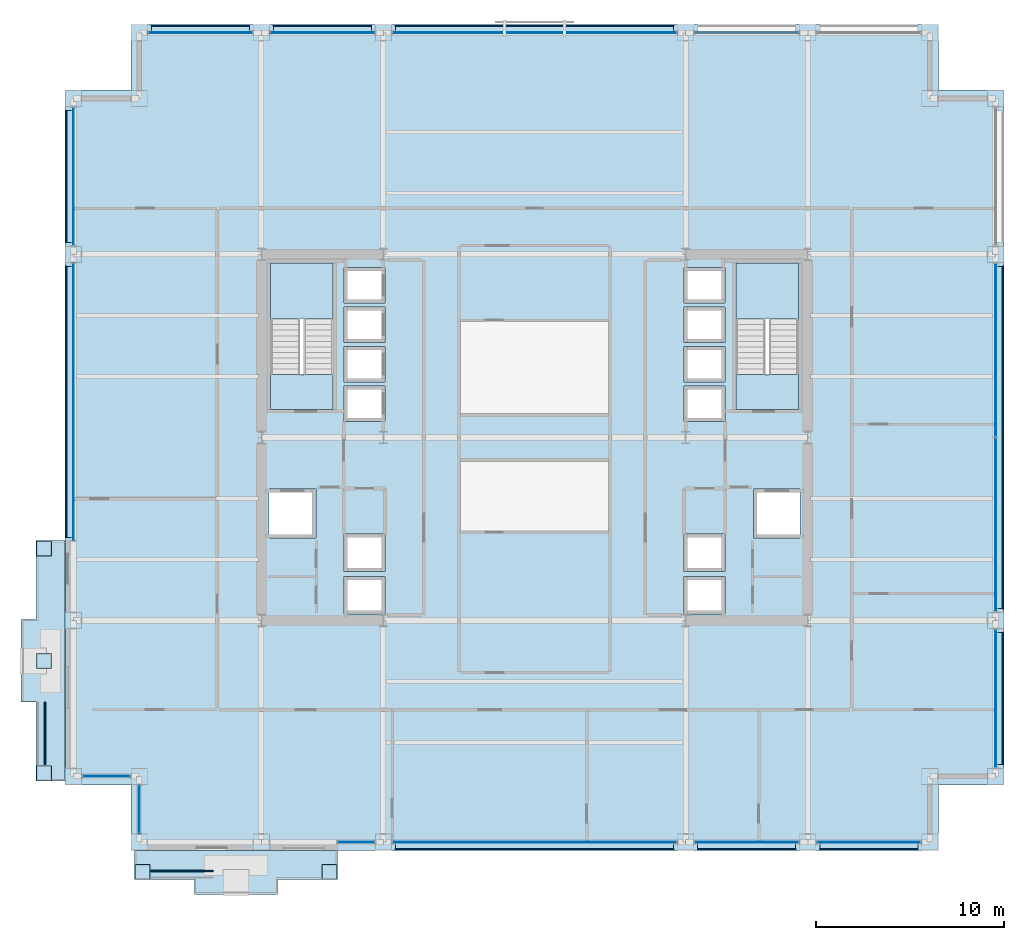
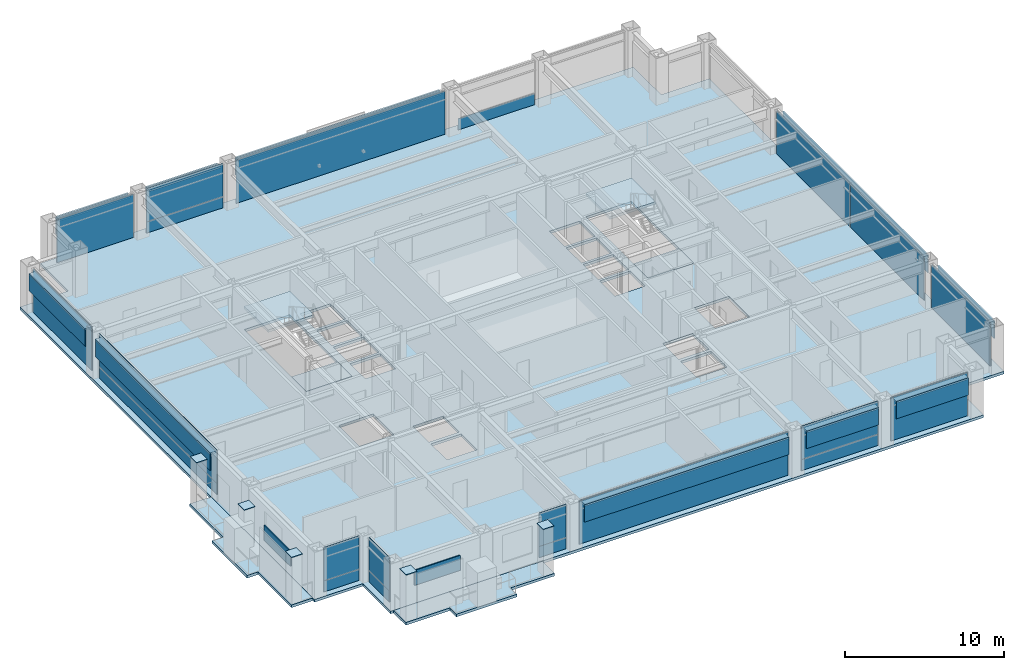
# One storey, part 21 of 29: 48 plates, 7 slabs, 16 elements without a shape of their own.
"""IFC4 building model written with IfcOpenShell, lengths in metres."""

from ifc_helpers import new_model, si_unit, direction, frame, origin, origin_2d, place, context, subcontext, project, spatial, polyline, rectangle, outline, extrude, material, layer, layer_set, type_object, element, aggregate, save


model = new_model("IFC4")

# Units and contexts
model_context = context("Model", 3, precision=1e-05, world=origin(), true_north=direction((0.0, 1.0)))
body_context = subcontext(model_context, "Body", "Model", "MODEL_VIEW")
ifc_project = project(units=[si_unit("LENGTHUNIT", "METRE"), si_unit("AREAUNIT", "SQUARE_METRE"), si_unit("VOLUMEUNIT", "CUBIC_METRE"), si_unit("PLANEANGLEUNIT", "RADIAN"), si_unit("MASSUNIT", "GRAM", prefix="KILO")], contexts=[model_context])

# Site, building, storey
site_placement = place(None, origin())
site = spatial("IfcSite", under=ifc_project, at=site_placement, CompositionType="ELEMENT")
building_placement = place(site_placement, origin())
building = spatial("IfcBuilding", under=site, at=building_placement, Name="Brelmoor Portico Tower", CompositionType="ELEMENT")
storey_placement = place(building_placement, frame((0.0, 0.0, 63.60009765625)))
storey = spatial("IfcBuildingStorey", under=building, at=storey_placement, Name="L16", CompositionType="ELEMENT", Elevation=63.60009765625)

# Plates
ifc_material_1 = material(Name="Steel Q355B", Category="steel")
ifc_layer_1 = layer(ifc_material_1, 0.044921875)
ifc_layer_set_1 = layer_set([ifc_layer_1], Name="Steel Q355B")
plate_type_1 = type_object("IfcPlateType", Name="PT-CAP-650", PredefinedType="SHEET", material=ifc_layer_set_1)
for number, where, z_axis, x_axis, name in (
    (1, (-26.1298828125, -17.8798828125, 3.599853515625), (0.0, 0.0, 1.0), (0.0, 1.0, 0.0), "L16 Proud Picture-Frame Pier PFJ-W1 Welded Head Cap Plate"),
    (2, (-26.1298828125, -5.919921875, 3.599853515625), (0.0, 0.0, 1.0), (0.0, 1.0, 0.0), "L16 Proud Picture-Frame Pier PFJ-W2 Welded Head Cap Plate"),
    (3, (-26.1298828125, -11.89990234375, 3.599853515625), (0.0, 0.0, 1.0), (0.0, 1.0, 0.0), "L16 Proud Picture-Frame Pier PFJ-W3 Welded Head Cap Plate"),
    (4, (-20.8798828125, -23.1298828125, 3.599853515625), (0.0, 0.0, 1.0), (1.0, 0.0, 0.0), "L16 Proud Picture-Frame Pier PFJ-S1 Welded Head Cap Plate"),
    (5, (-10.919921875, -23.1298828125, 3.599853515625), (0.0, 0.0, 1.0), (1.0, 0.0, 0.0), "L16 Proud Picture-Frame Pier PFJ-S2 Welded Head Cap Plate"),
):
    element("IfcPlate", number, at=place(storey_placement, frame(where, z_axis=z_axis, x_axis=x_axis)), inside=storey, type_object=plate_type_1, Name=name, PredefinedType="SHEET", context=body_context, shape_type="SweptSolid", body=[
        extrude(rectangle(XDim=0.7900390625, YDim=0.7900390625, at=origin_2d()), origin(), (0.0, 0.0, 1.0), 0.0400390625),
    ])

# Curtain wall, plate
ifc_material_2 = material(Name="Anodised Aluminium Alloy 6063-T6", Category="aluminium")
ifc_layer_2 = layer(ifc_material_2, 0.179931640625)
ifc_layer_set_2 = layer_set([ifc_layer_2], Name="Anodised Aluminium Alloy 6063-T6")
curtain_wall_type_1 = type_object("IfcCurtainWallType", Name="CW-TOWER-Z1", PredefinedType="NOTDEFINED", material=ifc_layer_set_2)
curtain_wall_1_placement = place(storey_placement, origin())
curtain_wall_1 = element("IfcCurtainWall", 6, at=curtain_wall_1_placement, inside=storey, type_object=curtain_wall_type_1, Name="L16 Curtain Wall CW-L16-1R-1", PredefinedType="NOTDEFINED")
ifc_material_3 = material(Name="Double-Silver Low-E Insulated Glazing", Category="glass")
ifc_layer_3 = layer(ifc_material_3, 0.035888671875)
ifc_layer_set_3 = layer_set([ifc_layer_3], Name="Double-Silver Low-E Insulated Glazing")
plate_type_2 = type_object("IfcPlateType", Name="PT-CW-GLASS", PredefinedType="CURTAIN_PANEL", material=ifc_layer_set_3)
plate_1_placement = place(storey_placement, frame((-9.5048828125, -21.550048828125, 0.85009765625), z_axis=(0.0, 0.0, 1.0), x_axis=(1.0, 0.0, 0.0)))
plate_1 = element("IfcPlate", 7, at=plate_1_placement, type_object=plate_type_2, Name="CW-L16-1R-1 Vision Glass Panel 00", PredefinedType="CURTAIN_PANEL", context=body_context, shape_type="SweptSolid", body=[
    extrude(rectangle(XDim=1.9599609375, YDim=0.035888671875, at=origin_2d()), origin(), (0.0, 0.0, 1.0), 2.550048828125),
])

curtain_wall_2_placement = place(storey_placement, origin())
curtain_wall_2 = element("IfcCurtainWall", 8, at=curtain_wall_2_placement, inside=storey, type_object=curtain_wall_type_1, Name="L16 Curtain Wall CW-L16-1R-3", PredefinedType="NOTDEFINED")
plate_2_placement = place(storey_placement, frame((11.300048828125, -21.550048828125, 0.85009765625), z_axis=(0.0, 0.0, 1.0), x_axis=(1.0, 0.0, 0.0)))
plate_2 = element("IfcPlate", 9, at=plate_2_placement, type_object=plate_type_2, Name="CW-L16-1R-3 Vision Glass Panel 00", PredefinedType="CURTAIN_PANEL", context=body_context, shape_type="SweptSolid", body=[
    extrude(rectangle(XDim=5.550048828125, YDim=0.035888671875, at=origin_2d()), origin(), (0.0, 0.0, 1.0), 2.550048828125),
])

curtain_wall_3_placement = place(storey_placement, origin())
curtain_wall_3 = element("IfcCurtainWall", 10, at=curtain_wall_3_placement, inside=storey, type_object=curtain_wall_type_1, Name="L16 Curtain Wall CW-L16-02-2", PredefinedType="NOTDEFINED")
plate_3_placement = place(storey_placement, frame((-11.300048828125, 21.550048828125, 0.85009765625), z_axis=(0.0, 0.0, 1.0), x_axis=(1.0, 0.0, 0.0)))
plate_3 = element("IfcPlate", 11, at=plate_3_placement, type_object=plate_type_2, Name="CW-L16-02-2 Vision Glass Panel 00", PredefinedType="CURTAIN_PANEL", context=body_context, shape_type="SweptSolid", body=[
    extrude(rectangle(XDim=5.550048828125, YDim=0.035888671875, at=origin_2d()), origin(), (0.0, 0.0, 1.0), 2.550048828125),
])

curtain_wall_4_placement = place(storey_placement, origin())
curtain_wall_4 = element("IfcCurtainWall", 12, at=curtain_wall_4_placement, inside=storey, type_object=curtain_wall_type_1, Name="L16 Curtain Wall CW-L16-3R-1", PredefinedType="NOTDEFINED")
plate_4_placement = place(storey_placement, frame((-24.550048828125, 1.89501953125, 0.85009765625), z_axis=(0.0, 0.0, 1.0), x_axis=(0.0, 1.0, 0.0)))
plate_4 = element("IfcPlate", 13, at=plate_4_placement, type_object=plate_type_2, Name="CW-L16-3R-1 Vision Glass Panel 00", PredefinedType="CURTAIN_PANEL", context=body_context, shape_type="SweptSolid", body=[
    extrude(rectangle(XDim=14.760009765625, YDim=0.035888671875, at=origin_2d()), origin(), (0.0, 0.0, 1.0), 2.550048828125),
])

ifc_layer_4 = layer(ifc_material_2, 0.179931640625)
ifc_layer_set_4 = layer_set([ifc_layer_4], Name="Anodised Aluminium Alloy 6063-T6")
curtain_wall_type_2 = type_object("IfcCurtainWallType", Name="CW-NOTCH-CHAMFER", PredefinedType="NOTDEFINED", material=ifc_layer_set_4)
curtain_wall_5_placement = place(storey_placement, origin())
curtain_wall_5 = element("IfcCurtainWall", 14, at=curtain_wall_5_placement, inside=storey, type_object=curtain_wall_type_2, Name="L16 Curtain Wall CWN-L16-SWH", PredefinedType="NOTDEFINED")
plate_5_placement = place(storey_placement, frame((-22.800048828125, -18.050048828125, 0.85009765625), z_axis=(0.0, 0.0, 1.0), x_axis=(1.0, 0.0, 0.0)))
plate_5 = element("IfcPlate", 15, at=plate_5_placement, type_object=plate_type_2, Name="CWN-L16-SWH Vision Glass Panel 00", PredefinedType="CURTAIN_PANEL", context=body_context, shape_type="SweptSolid", body=[
    extrude(rectangle(XDim=2.550048828125, YDim=0.035888671875, at=origin_2d()), origin(), (0.0, 0.0, 1.0), 2.550048828125),
])

curtain_wall_6_placement = place(storey_placement, origin())
curtain_wall_6 = element("IfcCurtainWall", 16, at=curtain_wall_6_placement, inside=storey, type_object=curtain_wall_type_2, Name="L16 Curtain Wall CWN-L16-SWV", PredefinedType="NOTDEFINED")
plate_6_placement = place(storey_placement, frame((-21.050048828125, -19.800048828125, 0.85009765625), z_axis=(0.0, 0.0, 1.0), x_axis=(0.0, 1.0, 0.0)))
plate_6 = element("IfcPlate", 17, at=plate_6_placement, type_object=plate_type_2, Name="CWN-L16-SWV Vision Glass Panel 00", PredefinedType="CURTAIN_PANEL", context=body_context, shape_type="SweptSolid", body=[
    extrude(rectangle(XDim=2.550048828125, YDim=0.035888671875, at=origin_2d()), origin(), (0.0, 0.0, 1.0), 2.550048828125),
])

# Plate
ifc_material_4 = material(Name="Pale Champagne Anodised Aluminium Panel", Category="aluminium")
ifc_layer_5 = layer(ifc_material_4, 0.050048828125)
ifc_layer_set_5 = layer_set([ifc_layer_5], Name="Pale Champagne Anodised Aluminium Panel")
plate_type_3 = type_object("IfcPlateType", Name="PT-CW-SPANDREL", PredefinedType="SHEET", material=ifc_layer_set_5)
plate_7_placement = place(storey_placement, frame((-9.5048828125, -21.550048828125, -0.000244140625), z_axis=(0.0, 0.0, 1.0), x_axis=(1.0, 0.0, 0.0)))
plate_7 = element("IfcPlate", 18, at=plate_7_placement, type_object=plate_type_3, Name="CW-L16-1R-1 Spandrel Panel 00", PredefinedType="SHEET", context=body_context, shape_type="SweptSolid", body=[
    extrude(rectangle(XDim=1.9599609375, YDim=0.050048828125, at=origin_2d()), origin(), (0.0, 0.0, 1.0), 0.85009765625),
])

aggregate(curtain_wall_1, [plate_7, plate_1])

# Curtain wall, plate
ifc_layer_6 = layer(ifc_material_2, 0.179931640625)
ifc_layer_set_6 = layer_set([ifc_layer_6], Name="Anodised Aluminium Alloy 6063-T6")
curtain_wall_type_3 = type_object("IfcCurtainWallType", Name="CW-TOWER-Z1-XB", PredefinedType="NOTDEFINED", material=ifc_layer_set_6)
curtain_wall_7_placement = place(storey_placement, origin())
curtain_wall_7 = element("IfcCurtainWall", 19, at=curtain_wall_7_placement, inside=storey, type_object=curtain_wall_type_3, Name="L16 Curtain Wall CW-L16-1R-2", PredefinedType="NOTDEFINED")
plate_8_placement = place(storey_placement, frame((0.0, -21.550048828125, -0.000244140625), z_axis=(0.0, 0.0, 1.0), x_axis=(1.0, 0.0, 0.0)))
plate_8 = element("IfcPlate", 20, at=plate_8_placement, type_object=plate_type_3, Name="CW-L16-1R-2 Spandrel Panel 00", PredefinedType="SHEET", context=body_context, shape_type="SweptSolid", body=[
    extrude(rectangle(XDim=15.14990234375, YDim=0.050048828125, at=origin_2d()), origin(), (0.0, 0.0, 1.0), 3.330078125),
])
aggregate(curtain_wall_7, [plate_8])

# Plate
plate_9_placement = place(storey_placement, frame((11.300048828125, -21.550048828125, -0.000244140625), z_axis=(0.0, 0.0, 1.0), x_axis=(1.0, 0.0, 0.0)))
plate_9 = element("IfcPlate", 21, at=plate_9_placement, type_object=plate_type_3, Name="CW-L16-1R-3 Spandrel Panel 00", PredefinedType="SHEET", context=body_context, shape_type="SweptSolid", body=[
    extrude(rectangle(XDim=5.550048828125, YDim=0.050048828125, at=origin_2d()), origin(), (0.0, 0.0, 1.0), 0.85009765625),
])

aggregate(curtain_wall_2, [plate_9, plate_2])

# Curtain wall, plate
curtain_wall_8_placement = place(storey_placement, origin())
curtain_wall_8 = element("IfcCurtainWall", 22, at=curtain_wall_8_placement, inside=storey, type_object=curtain_wall_type_3, Name="L16 Curtain Wall CW-L16-1R-4", PredefinedType="NOTDEFINED")
plate_10_placement = place(storey_placement, frame((17.800048828125, -21.550048828125, -0.000244140625), z_axis=(0.0, 0.0, 1.0), x_axis=(1.0, 0.0, 0.0)))
plate_10 = element("IfcPlate", 23, at=plate_10_placement, type_object=plate_type_3, Name="CW-L16-1R-4 Spandrel Panel 00", PredefinedType="SHEET", context=body_context, shape_type="SweptSolid", body=[
    extrude(rectangle(XDim=5.550048828125, YDim=0.050048828125, at=origin_2d()), origin(), (0.0, 0.0, 1.0), 3.330078125),
])
aggregate(curtain_wall_8, [plate_10])

curtain_wall_9_placement = place(storey_placement, origin())
curtain_wall_9 = element("IfcCurtainWall", 24, at=curtain_wall_9_placement, inside=storey, type_object=curtain_wall_type_3, Name="L16 Curtain Wall CW-L16-02-1", PredefinedType="NOTDEFINED")
plate_11_placement = place(storey_placement, frame((-17.800048828125, 21.550048828125, -0.000244140625), z_axis=(0.0, 0.0, 1.0), x_axis=(1.0, 0.0, 0.0)))
plate_11 = element("IfcPlate", 25, at=plate_11_placement, type_object=plate_type_3, Name="CW-L16-02-1 Spandrel Panel 00", PredefinedType="SHEET", context=body_context, shape_type="SweptSolid", body=[
    extrude(rectangle(XDim=5.550048828125, YDim=0.050048828125, at=origin_2d()), origin(), (0.0, 0.0, 1.0), 3.330078125),
])
aggregate(curtain_wall_9, [plate_11])

# Plate
plate_12_placement = place(storey_placement, frame((-11.300048828125, 21.550048828125, -0.000244140625), z_axis=(0.0, 0.0, 1.0), x_axis=(1.0, 0.0, 0.0)))
plate_12 = element("IfcPlate", 26, at=plate_12_placement, type_object=plate_type_3, Name="CW-L16-02-2 Spandrel Panel 00", PredefinedType="SHEET", context=body_context, shape_type="SweptSolid", body=[
    extrude(rectangle(XDim=5.550048828125, YDim=0.050048828125, at=origin_2d()), origin(), (0.0, 0.0, 1.0), 0.85009765625),
])

aggregate(curtain_wall_3, [plate_12, plate_3])

# Curtain wall, plate
curtain_wall_10_placement = place(storey_placement, origin())
curtain_wall_10 = element("IfcCurtainWall", 27, at=curtain_wall_10_placement, inside=storey, type_object=curtain_wall_type_3, Name="L16 Curtain Wall CW-L16-02-3", PredefinedType="NOTDEFINED")
plate_13_placement = place(storey_placement, frame((0.0, 21.550048828125, -0.000244140625), z_axis=(0.0, 0.0, 1.0), x_axis=(1.0, 0.0, 0.0)))
plate_13 = element("IfcPlate", 28, at=plate_13_placement, type_object=plate_type_3, Name="CW-L16-02-3 Spandrel Panel 00", PredefinedType="SHEET", context=body_context, shape_type="SweptSolid", body=[
    extrude(rectangle(XDim=15.14990234375, YDim=0.050048828125, at=origin_2d()), origin(), (0.0, 0.0, 1.0), 3.330078125),
])
aggregate(curtain_wall_10, [plate_13])

curtain_wall_11_placement = place(storey_placement, origin())
curtain_wall_11 = element("IfcCurtainWall", 29, at=curtain_wall_11_placement, inside=storey, type_object=curtain_wall_type_1, Name="L16 Curtain Wall CW-L16-02-4", PredefinedType="NOTDEFINED")
plate_14_placement = place(storey_placement, frame((11.300048828125, 21.550048828125, -0.000244140625), z_axis=(0.0, 0.0, 1.0), x_axis=(1.0, 0.0, 0.0)))
plate_14 = element("IfcPlate", 30, at=plate_14_placement, type_object=plate_type_3, Name="CW-L16-02-4 Spandrel Panel 00", PredefinedType="SHEET", context=body_context, shape_type="SweptSolid", body=[
    extrude(rectangle(XDim=5.550048828125, YDim=0.050048828125, at=origin_2d()), origin(), (0.0, 0.0, 1.0), 0.85009765625),
])
aggregate(curtain_wall_11, [plate_14])

# Plate
plate_15_placement = place(storey_placement, frame((-24.550048828125, 1.89501953125, -0.000244140625), z_axis=(0.0, 0.0, 1.0), x_axis=(0.0, 1.0, 0.0)))
plate_15 = element("IfcPlate", 31, at=plate_15_placement, type_object=plate_type_3, Name="CW-L16-3R-1 Spandrel Panel 00", PredefinedType="SHEET", context=body_context, shape_type="SweptSolid", body=[
    extrude(rectangle(XDim=14.760009765625, YDim=0.050048828125, at=origin_2d()), origin(), (0.0, 0.0, 1.0), 0.85009765625),
])

aggregate(curtain_wall_4, [plate_15, plate_4])

# Curtain wall, plate
curtain_wall_12_placement = place(storey_placement, origin())
curtain_wall_12 = element("IfcCurtainWall", 32, at=curtain_wall_12_placement, inside=storey, type_object=curtain_wall_type_3, Name="L16 Curtain Wall CW-L16-3R-2", PredefinedType="NOTDEFINED")
plate_16_placement = place(storey_placement, frame((-24.550048828125, 13.89990234375, -0.000244140625), z_axis=(0.0, 0.0, 1.0), x_axis=(0.0, 1.0, 0.0)))
plate_16 = element("IfcPlate", 33, at=plate_16_placement, type_object=plate_type_3, Name="CW-L16-3R-2 Spandrel Panel 00", PredefinedType="SHEET", context=body_context, shape_type="SweptSolid", body=[
    extrude(rectangle(XDim=7.35009765625, YDim=0.050048828125, at=origin_2d()), origin(), (0.0, 0.0, 1.0), 3.330078125),
])
aggregate(curtain_wall_12, [plate_16])

curtain_wall_13_placement = place(storey_placement, origin())
curtain_wall_13 = element("IfcCurtainWall", 34, at=curtain_wall_13_placement, inside=storey, type_object=curtain_wall_type_3, Name="L16 Curtain Wall CW-L16-04-1", PredefinedType="NOTDEFINED")
plate_17_placement = place(storey_placement, frame((24.550048828125, -13.89990234375, -0.000244140625), z_axis=(0.0, 0.0, 1.0), x_axis=(0.0, 1.0, 0.0)))
plate_17 = element("IfcPlate", 35, at=plate_17_placement, type_object=plate_type_3, Name="CW-L16-04-1 Spandrel Panel 00", PredefinedType="SHEET", context=body_context, shape_type="SweptSolid", body=[
    extrude(rectangle(XDim=7.35009765625, YDim=0.050048828125, at=origin_2d()), origin(), (0.0, 0.0, 1.0), 3.330078125),
])
aggregate(curtain_wall_13, [plate_17])

# Curtain wall, plates
curtain_wall_14_placement = place(storey_placement, origin())
curtain_wall_14 = element("IfcCurtainWall", 36, at=curtain_wall_14_placement, inside=storey, type_object=curtain_wall_type_3, Name="L16 Curtain Wall CW-L16-04-2", PredefinedType="NOTDEFINED")
plate_18_placement = place(storey_placement, frame((24.550048828125, -4.64501953125, -0.000244140625), z_axis=(0.0, 0.0, 1.0), x_axis=(0.0, 1.0, 0.0)))
plate_18 = element("IfcPlate", 37, at=plate_18_placement, type_object=plate_type_3, Name="CW-L16-04-2 Spandrel Panel 00", PredefinedType="SHEET", context=body_context, shape_type="SweptSolid", body=[
    extrude(rectangle(XDim=9.260009765625, YDim=0.050048828125, at=origin_2d()), origin(), (0.0, 0.0, 1.0), 3.330078125),
])
plate_19_placement = place(storey_placement, frame((24.550048828125, 4.64501953125, -0.000244140625), z_axis=(0.0, 0.0, 1.0), x_axis=(0.0, 1.0, 0.0)))
plate_19 = element("IfcPlate", 38, at=plate_19_placement, type_object=plate_type_3, Name="CW-L16-04-2 Spandrel Panel 01", PredefinedType="SHEET", context=body_context, shape_type="SweptSolid", body=[
    extrude(rectangle(XDim=9.260009765625, YDim=0.050048828125, at=origin_2d()), origin(), (0.0, 0.0, 1.0), 3.330078125),
])
aggregate(curtain_wall_14, [plate_18, plate_19])

# Plate
plate_20_placement = place(storey_placement, frame((-22.800048828125, -18.050048828125, -0.000244140625), z_axis=(0.0, 0.0, 1.0), x_axis=(1.0, 0.0, 0.0)))
plate_20 = element("IfcPlate", 39, at=plate_20_placement, type_object=plate_type_3, Name="CWN-L16-SWH Spandrel Panel 00", PredefinedType="SHEET", context=body_context, shape_type="SweptSolid", body=[
    extrude(rectangle(XDim=2.550048828125, YDim=0.050048828125, at=origin_2d()), origin(), (0.0, 0.0, 1.0), 0.85009765625),
])

aggregate(curtain_wall_5, [plate_20, plate_5])

plate_21_placement = place(storey_placement, frame((-21.050048828125, -19.800048828125, -0.000244140625), z_axis=(0.0, 0.0, 1.0), x_axis=(0.0, 1.0, 0.0)))
plate_21 = element("IfcPlate", 40, at=plate_21_placement, type_object=plate_type_3, Name="CWN-L16-SWV Spandrel Panel 00", PredefinedType="SHEET", context=body_context, shape_type="SweptSolid", body=[
    extrude(rectangle(XDim=2.550048828125, YDim=0.050048828125, at=origin_2d()), origin(), (0.0, 0.0, 1.0), 0.85009765625),
])

aggregate(curtain_wall_6, [plate_21, plate_6])

# Plates
ifc_material_5 = material(Name="Powder-Coated Aluminium Shuttered Jalousie Louvre", Category="aluminium")
ifc_layer_7 = layer(ifc_material_5, 0.06005859375)
ifc_layer_set_7 = layer_set([ifc_layer_7], Name="Powder-Coated Aluminium Shuttered Jalousie Louvre")
plate_type_4 = type_object("IfcPlateType", Name="PT-JALOUSIE-SHUTTER", PredefinedType="SHEET", material=ifc_layer_set_7)
plate_22_placement = place(storey_placement, frame((0.0, -21.929931640625, 1.8740234375), z_axis=(0.0, 0.0, 1.0), x_axis=(1.0, 0.0, 0.0)))
element("IfcPlate", 41, at=plate_22_placement, inside=storey, type_object=plate_type_4, Name="CW-L16-1R-2 Perforated Jalousie Solar Screen", PredefinedType="SHEET", context=body_context, shape_type="SweptSolid", body=[
    extrude(rectangle(XDim=14.820068359375, YDim=0.06494140625, at=origin_2d()), origin(), (0.0, 0.0, 1.0), 1.325927734375),
])
for number, where, z_axis, x_axis, name in (
    (42, (11.300048828125, -21.929931640625, 1.8740234375), (0.0, 0.0, 1.0), (1.0, 0.0, 0.0), "CW-L16-1R-3 Perforated Jalousie Solar Screen"),
    (43, (17.800048828125, -21.929931640625, 1.8740234375), (0.0, 0.0, 1.0), (1.0, 0.0, 0.0), "CW-L16-1R-4 Perforated Jalousie Solar Screen"),
):
    element("IfcPlate", number, at=place(storey_placement, frame(where, z_axis=z_axis, x_axis=x_axis)), inside=storey, type_object=plate_type_4, Name=name, PredefinedType="SHEET", context=body_context, shape_type="SweptSolid", body=[
        extrude(rectangle(XDim=5.219970703125, YDim=0.06494140625, at=origin_2d()), origin(), (0.0, 0.0, 1.0), 1.325927734375),
    ])
plate_23_placement = place(storey_placement, frame((-18.75, -23.080078125, 2.27490234375), z_axis=(0.0, 0.0, 1.0), x_axis=(1.0, 0.0, 0.0)))
element("IfcPlate", 44, at=plate_23_placement, inside=storey, type_object=plate_type_4, Name="L16 Shuttered Veranda Screen S", PredefinedType="SHEET", context=body_context, shape_type="SweptSolid", body=[
    extrude(rectangle(XDim=3.300048828125, YDim=0.080078125, at=origin_2d()), origin(), (0.0, 0.0, 1.0), 1.14990234375),
])
for number, where, z_axis, x_axis, name in (
    (45, (-17.800048828125, 21.929931640625, 1.8740234375), (0.0, 0.0, 1.0), (1.0, 0.0, 0.0), "CW-L16-02-1 Perforated Jalousie Solar Screen"),
    (46, (-11.300048828125, 21.929931640625, 1.8740234375), (0.0, 0.0, 1.0), (1.0, 0.0, 0.0), "CW-L16-02-2 Perforated Jalousie Solar Screen"),
):
    element("IfcPlate", number, at=place(storey_placement, frame(where, z_axis=z_axis, x_axis=x_axis)), inside=storey, type_object=plate_type_4, Name=name, PredefinedType="SHEET", context=body_context, shape_type="SweptSolid", body=[
        extrude(rectangle(XDim=5.219970703125, YDim=0.06494140625, at=origin_2d()), origin(), (0.0, 0.0, 1.0), 1.325927734375),
    ])
plate_24_placement = place(storey_placement, frame((0.0, 21.929931640625, 1.8740234375), z_axis=(0.0, 0.0, 1.0), x_axis=(1.0, 0.0, 0.0)))
element("IfcPlate", 47, at=plate_24_placement, inside=storey, type_object=plate_type_4, Name="CW-L16-02-3 Perforated Jalousie Solar Screen", PredefinedType="SHEET", context=body_context, shape_type="SweptSolid", body=[
    extrude(rectangle(XDim=14.820068359375, YDim=0.06494140625, at=origin_2d()), origin(), (0.0, 0.0, 1.0), 1.325927734375),
])
plate_25_placement = place(storey_placement, frame((-24.929931640625, 1.89501953125, 1.8740234375), z_axis=(0.0, 0.0, 1.0), x_axis=(0.0, 1.0, 0.0)))
element("IfcPlate", 48, at=plate_25_placement, inside=storey, type_object=plate_type_4, Name="CW-L16-3R-1 Perforated Jalousie Solar Screen", PredefinedType="SHEET", context=body_context, shape_type="SweptSolid", body=[
    extrude(rectangle(XDim=14.429931640625, YDim=0.06494140625, at=origin_2d()), origin(), (0.0, 0.0, 1.0), 1.325927734375),
])
plate_26_placement = place(storey_placement, frame((-24.929931640625, 13.89990234375, 1.8740234375), z_axis=(0.0, 0.0, 1.0), x_axis=(0.0, 1.0, 0.0)))
element("IfcPlate", 49, at=plate_26_placement, inside=storey, type_object=plate_type_4, Name="CW-L16-3R-2 Perforated Jalousie Solar Screen", PredefinedType="SHEET", context=body_context, shape_type="SweptSolid", body=[
    extrude(rectangle(XDim=7.02001953125, YDim=0.06494140625, at=origin_2d()), origin(), (0.0, 0.0, 1.0), 1.325927734375),
])
plate_27_placement = place(storey_placement, frame((-26.080078125, -15.75, 2.27490234375), z_axis=(0.0, 0.0, 1.0), x_axis=(0.0, 1.0, 0.0)))
element("IfcPlate", 50, at=plate_27_placement, inside=storey, type_object=plate_type_4, Name="L16 Shuttered Veranda Screen W", PredefinedType="SHEET", context=body_context, shape_type="SweptSolid", body=[
    extrude(rectangle(XDim=3.300048828125, YDim=0.080078125, at=origin_2d()), origin(), (0.0, 0.0, 1.0), 1.14990234375),
])
plate_28_placement = place(storey_placement, frame((24.929931640625, -13.89990234375, 1.8740234375), z_axis=(0.0, 0.0, 1.0), x_axis=(0.0, 1.0, 0.0)))
element("IfcPlate", 51, at=plate_28_placement, inside=storey, type_object=plate_type_4, Name="CW-L16-04-1 Perforated Jalousie Solar Screen", PredefinedType="SHEET", context=body_context, shape_type="SweptSolid", body=[
    extrude(rectangle(XDim=7.02001953125, YDim=0.06494140625, at=origin_2d()), origin(), (0.0, 0.0, 1.0), 1.325927734375),
])
plate_29_placement = place(storey_placement, frame((24.929931640625, 0.0, 1.8740234375), z_axis=(0.0, 0.0, 1.0), x_axis=(0.0, 1.0, 0.0)))
element("IfcPlate", 52, at=plate_29_placement, inside=storey, type_object=plate_type_4, Name="CW-L16-04-2 Perforated Jalousie Solar Screen", PredefinedType="SHEET", context=body_context, shape_type="SweptSolid", body=[
    extrude(rectangle(XDim=18.219970703125, YDim=0.06494140625, at=origin_2d()), origin(), (0.0, 0.0, 1.0), 1.325927734375),
])
ifc_material_6 = material(Name="Pale Champagne Perforated Aluminium Solar Screen", Category="aluminium")
ifc_layer_8 = layer(ifc_material_6, 0.054931640625)
ifc_layer_set_8 = layer_set([ifc_layer_8], Name="Pale Champagne Perforated Aluminium Solar Screen")
plate_type_5 = type_object("IfcPlateType", Name="PT-SOLAR-LOUVRE", PredefinedType="SHEET", material=ifc_layer_set_8)
plate_30_placement = place(storey_placement, frame((0.0, -21.760009765625, 3.08984375), z_axis=(0.0, 0.0, 1.0), x_axis=(1.0, 0.0, 0.0)))
element("IfcPlate", 53, at=plate_30_placement, inside=storey, type_object=plate_type_5, Name="CW-L16-1R-2 Caribbean Brise-Soleil Solar Screen", PredefinedType="SHEET", context=body_context, shape_type="SweptSolid", body=[
    extrude(rectangle(XDim=14.820068359375, YDim=0.4599609375, at=origin_2d()), origin(), (0.0, 0.0, 1.0), 0.139892578125),
])
for number, where, z_axis, x_axis, name in (
    (54, (11.300048828125, -21.760009765625, 3.08984375), (0.0, 0.0, 1.0), (1.0, 0.0, 0.0), "CW-L16-1R-3 Caribbean Brise-Soleil Solar Screen"),
    (55, (17.800048828125, -21.760009765625, 3.08984375), (0.0, 0.0, 1.0), (1.0, 0.0, 0.0), "CW-L16-1R-4 Caribbean Brise-Soleil Solar Screen"),
    (56, (-17.800048828125, 21.760009765625, 3.08984375), (0.0, 0.0, 1.0), (1.0, 0.0, 0.0), "CW-L16-02-1 Caribbean Brise-Soleil Solar Screen"),
    (57, (-11.300048828125, 21.760009765625, 3.08984375), (0.0, 0.0, 1.0), (1.0, 0.0, 0.0), "CW-L16-02-2 Caribbean Brise-Soleil Solar Screen"),
):
    element("IfcPlate", number, at=place(storey_placement, frame(where, z_axis=z_axis, x_axis=x_axis)), inside=storey, type_object=plate_type_5, Name=name, PredefinedType="SHEET", context=body_context, shape_type="SweptSolid", body=[
        extrude(rectangle(XDim=5.219970703125, YDim=0.4599609375, at=origin_2d()), origin(), (0.0, 0.0, 1.0), 0.139892578125),
    ])
plate_31_placement = place(storey_placement, frame((0.0, 21.760009765625, 3.08984375), z_axis=(0.0, 0.0, 1.0), x_axis=(1.0, 0.0, 0.0)))
element("IfcPlate", 58, at=plate_31_placement, inside=storey, type_object=plate_type_5, Name="CW-L16-02-3 Caribbean Brise-Soleil Solar Screen", PredefinedType="SHEET", context=body_context, shape_type="SweptSolid", body=[
    extrude(rectangle(XDim=14.820068359375, YDim=0.4599609375, at=origin_2d()), origin(), (0.0, 0.0, 1.0), 0.139892578125),
])
plate_32_placement = place(storey_placement, frame((-24.760009765625, 1.89501953125, 3.08984375), z_axis=(0.0, 0.0, 1.0), x_axis=(0.0, 1.0, 0.0)))
element("IfcPlate", 59, at=plate_32_placement, inside=storey, type_object=plate_type_5, Name="CW-L16-3R-1 Caribbean Brise-Soleil Solar Screen", PredefinedType="SHEET", context=body_context, shape_type="SweptSolid", body=[
    extrude(rectangle(XDim=14.429931640625, YDim=0.4599609375, at=origin_2d()), origin(), (0.0, 0.0, 1.0), 0.139892578125),
])
for number, where, z_axis, x_axis, name in (
    (60, (-24.760009765625, 13.89990234375, 3.08984375), (0.0, 0.0, 1.0), (0.0, 1.0, 0.0), "CW-L16-3R-2 Caribbean Brise-Soleil Solar Screen"),
    (61, (24.760009765625, -13.89990234375, 3.08984375), (0.0, 0.0, 1.0), (0.0, 1.0, 0.0), "CW-L16-04-1 Caribbean Brise-Soleil Solar Screen"),
):
    element("IfcPlate", number, at=place(storey_placement, frame(where, z_axis=z_axis, x_axis=x_axis)), inside=storey, type_object=plate_type_5, Name=name, PredefinedType="SHEET", context=body_context, shape_type="SweptSolid", body=[
        extrude(rectangle(XDim=7.02001953125, YDim=0.4599609375, at=origin_2d()), origin(), (0.0, 0.0, 1.0), 0.139892578125),
    ])
plate_33_placement = place(storey_placement, frame((24.760009765625, 0.0, 3.08984375), z_axis=(0.0, 0.0, 1.0), x_axis=(0.0, 1.0, 0.0)))
element("IfcPlate", 62, at=plate_33_placement, inside=storey, type_object=plate_type_5, Name="CW-L16-04-2 Caribbean Brise-Soleil Solar Screen", PredefinedType="SHEET", context=body_context, shape_type="SweptSolid", body=[
    extrude(rectangle(XDim=18.219970703125, YDim=0.4599609375, at=origin_2d()), origin(), (0.0, 0.0, 1.0), 0.139892578125),
])

# Slabs
ifc_material_7 = material(Name="Concrete C40", Category="concrete")
ifc_layer_9 = layer(ifc_material_7, 0.199951171875)
ifc_layer_set_9 = layer_set([ifc_layer_9], Name="Concrete C40")
slab_type_1 = type_object("IfcSlabType", Name="SL-BALCONY-200", PredefinedType="FLOOR", material=ifc_layer_set_9)
slab_1_placement = place(storey_placement, frame((0.0, 0.0, -0.2001953125)))
element("IfcSlab", 63, at=slab_1_placement, inside=storey, type_object=slab_type_1, Name="L16 Loggia Tree Balcony Slab W", PredefinedType="FLOOR", context=body_context, shape_type="SweptSolid", body=[
    extrude(outline(polyline([(-26.550048828125, -18.300048828125), (-25.0, -18.300048828125), (-25.0, -5.5), (-26.550048828125, -5.5), (-26.550048828125, -9.699951171875), (-27.35009765625, -9.699951171875), (-27.35009765625, -14.10009765625), (-26.550048828125, -14.10009765625), (-26.550048828125, -18.300048828125)])), origin(), (0.0, 0.0, 1.0), 0.2001953125),
])
slab_2_placement = place(storey_placement, frame((0.0, 0.0, -0.2001953125)))
element("IfcSlab", 64, at=slab_2_placement, inside=storey, type_object=slab_type_1, Name="L16 Loggia Tree Balcony Slab S", PredefinedType="FLOOR", context=body_context, shape_type="SweptSolid", body=[
    extrude(outline(polyline([(-21.300048828125, -23.550048828125), (-18.10009765625, -23.550048828125), (-18.10009765625, -24.35009765625), (-13.699951171875, -24.35009765625), (-13.699951171875, -23.550048828125), (-10.5, -23.550048828125), (-10.5, -22.0), (-21.300048828125, -22.0), (-21.300048828125, -23.550048828125)])), origin(), (0.0, 0.0, 1.0), 0.2001953125),
])
ifc_layer_10 = layer(ifc_material_7, 0.199951171875)
ifc_layer_set_10 = layer_set([ifc_layer_10], Name="Concrete C40")
slab_type_2 = type_object("IfcSlabType", Name="SL-FLOOR-200", PredefinedType="FLOOR", material=ifc_layer_set_10)
slab_3_placement = place(storey_placement, frame((0.0, 0.0, -0.2001953125)))
element("IfcSlab", 65, at=slab_3_placement, inside=storey, type_object=slab_type_2, Name="L16 Main Structural Floor Slab", PredefinedType="FLOOR", context=body_context, shape_type="SweptSolid", body=[
    extrude(outline(polyline([(-21.5, -22.0), (21.5, -22.0), (21.5, -18.5), (25.0, -18.5), (25.0, 18.5), (21.5, 18.5), (21.5, 22.0), (-21.5, 22.0), (-21.5, 18.5), (-25.0, 18.5), (-25.0, -18.5), (-21.5, -18.5), (-21.5, -22.0)]), holes=[polyline([(-10.72998046875, 1.5), (-10.72998046875, 9.300048828125), (-14.050048828125, 9.300048828125), (-14.050048828125, 1.5), (-10.72998046875, 1.5)]), polyline([(14.050048828125, 1.5), (14.050048828125, 9.300048828125), (10.72998046875, 9.300048828125), (10.72998046875, 1.5), (14.050048828125, 1.5)]), polyline([(-10.14990234375, 0.85009765625), (-7.949951171875, 0.85009765625), (-7.949951171875, 2.75), (-10.14990234375, 2.75), (-10.14990234375, 0.85009765625)]), polyline([(-10.14990234375, 2.949951171875), (-7.949951171875, 2.949951171875), (-7.949951171875, 4.85009765625), (-10.14990234375, 4.85009765625), (-10.14990234375, 2.949951171875)]), polyline([(-10.14990234375, 5.050048828125), (-7.949951171875, 5.050048828125), (-7.949951171875, 6.949951171875), (-10.14990234375, 6.949951171875), (-10.14990234375, 5.050048828125)]), polyline([(-10.14990234375, 7.14990234375), (-7.949951171875, 7.14990234375), (-7.949951171875, 9.050048828125), (-10.14990234375, 9.050048828125), (-10.14990234375, 7.14990234375)]), polyline([(7.949951171875, 0.85009765625), (10.14990234375, 0.85009765625), (10.14990234375, 2.75), (7.949951171875, 2.75), (7.949951171875, 0.85009765625)]), polyline([(7.949951171875, 2.949951171875), (10.14990234375, 2.949951171875), (10.14990234375, 4.85009765625), (7.949951171875, 4.85009765625), (7.949951171875, 2.949951171875)]), polyline([(7.949951171875, 5.050048828125), (10.14990234375, 5.050048828125), (10.14990234375, 6.949951171875), (7.949951171875, 6.949951171875), (7.949951171875, 5.050048828125)]), polyline([(7.949951171875, 7.14990234375), (10.14990234375, 7.14990234375), (10.14990234375, 9.050048828125), (7.949951171875, 9.050048828125), (7.949951171875, 7.14990234375)]), polyline([(-10.14990234375, -9.39990234375), (-7.949951171875, -9.39990234375), (-7.949951171875, -7.39990234375), (-10.14990234375, -7.39990234375), (-10.14990234375, -9.39990234375)]), polyline([(-10.14990234375, -7.14990234375), (-7.949951171875, -7.14990234375), (-7.949951171875, -5.14990234375), (-10.14990234375, -5.14990234375), (-10.14990234375, -7.14990234375)]), polyline([(7.949951171875, -9.39990234375), (10.14990234375, -9.39990234375), (10.14990234375, -7.39990234375), (7.949951171875, -7.39990234375), (7.949951171875, -9.39990234375)]), polyline([(7.949951171875, -7.14990234375), (10.14990234375, -7.14990234375), (10.14990234375, -5.14990234375), (7.949951171875, -5.14990234375), (7.949951171875, -7.14990234375)]), polyline([(-14.14990234375, -5.35009765625), (-11.64990234375, -5.35009765625), (-11.64990234375, -2.75), (-14.14990234375, -2.75), (-14.14990234375, -5.35009765625)]), polyline([(11.64990234375, -5.35009765625), (14.14990234375, -5.35009765625), (14.14990234375, -2.75), (11.64990234375, -2.75), (11.64990234375, -5.35009765625)])]), origin(), (0.0, 0.0, 1.0), 0.2001953125),
])

# Stair, slab
stair_type_1 = type_object("IfcStairType", Name="ST-CORE-W", PredefinedType="HALF_TURN_STAIR", material=ifc_material_7)
stair_1_placement = place(storey_placement, origin())
stair_1 = element("IfcStair", 66, at=stair_1_placement, inside=storey, type_object=stair_type_1, Name="L16 Protected Core Exit Stair ST-W", PredefinedType="HALF_TURN_STAIR")
ifc_layer_11 = layer(ifc_material_7, 0.179931640625)
ifc_layer_set_11 = layer_set([ifc_layer_11], Name="Concrete C40")
slab_type_3 = type_object("IfcSlabType", Name="SL-LANDING-180", PredefinedType="LANDING", material=ifc_layer_set_11)
slab_4_placement = place(storey_placement, frame((0.0, 0.0, 1.599853515625)))
slab_4 = element("IfcSlab", 67, at=slab_4_placement, type_object=slab_type_3, Name="ST-W landing 1", PredefinedType="LANDING", context=body_context, shape_type="SweptSolid", body=[
    extrude(outline(polyline([(-10.72998046875, 6.300048828125), (-10.72998046875, 9.300048828125), (-14.050048828125, 9.300048828125), (-14.050048828125, 6.300048828125), (-10.72998046875, 6.300048828125)])), origin(), (0.0, 0.0, 1.0), 0.199951171875),
])
aggregate(stair_1, [slab_4])

stair_type_2 = type_object("IfcStairType", Name="ST-CORE-E", PredefinedType="HALF_TURN_STAIR", material=ifc_material_7)
stair_2_placement = place(storey_placement, origin())
stair_2 = element("IfcStair", 68, at=stair_2_placement, inside=storey, type_object=stair_type_2, Name="L16 Protected Core Exit Stair ST-E", PredefinedType="HALF_TURN_STAIR")
slab_5_placement = place(storey_placement, frame((0.0, 0.0, 1.599853515625)))
slab_5 = element("IfcSlab", 69, at=slab_5_placement, type_object=slab_type_3, Name="ST-E landing 1", PredefinedType="LANDING", context=body_context, shape_type="SweptSolid", body=[
    extrude(outline(polyline([(14.050048828125, 6.300048828125), (14.050048828125, 9.300048828125), (10.72998046875, 9.300048828125), (10.72998046875, 6.300048828125), (14.050048828125, 6.300048828125)])), origin(), (0.0, 0.0, 1.0), 0.199951171875),
])
aggregate(stair_2, [slab_5])

# Slabs
ifc_layer_12 = layer(ifc_material_7, 0.199951171875)
ifc_layer_set_12 = layer_set([ifc_layer_12], Name="Concrete C40")
slab_type_4 = type_object("IfcSlabType", Name="SL-STAIR-FL200", PredefinedType="LANDING", material=ifc_layer_set_12)
slab_6_placement = place(storey_placement, frame((0.0, 0.0, -0.2001953125)))
element("IfcSlab", 70, at=slab_6_placement, inside=storey, type_object=slab_type_4, Name="L16 ST-W Structural Floor Landing Slab", PredefinedType="LANDING", context=body_context, shape_type="SweptSolid", body=[
    extrude(outline(polyline([(-10.72998046875, 1.5), (-10.72998046875, 3.35009765625), (-14.050048828125, 3.35009765625), (-14.050048828125, 1.5), (-10.72998046875, 1.5)])), origin(), (0.0, 0.0, 1.0), 0.2001953125),
])
slab_7_placement = place(storey_placement, frame((0.0, 0.0, -0.2001953125)))
element("IfcSlab", 71, at=slab_7_placement, inside=storey, type_object=slab_type_4, Name="L16 ST-E Structural Floor Landing Slab", PredefinedType="LANDING", context=body_context, shape_type="SweptSolid", body=[
    extrude(outline(polyline([(14.050048828125, 1.5), (14.050048828125, 3.35009765625), (10.72998046875, 3.35009765625), (10.72998046875, 1.5), (14.050048828125, 1.5)])), origin(), (0.0, 0.0, 1.0), 0.2001953125),
])

save(model, "model.ifc")
